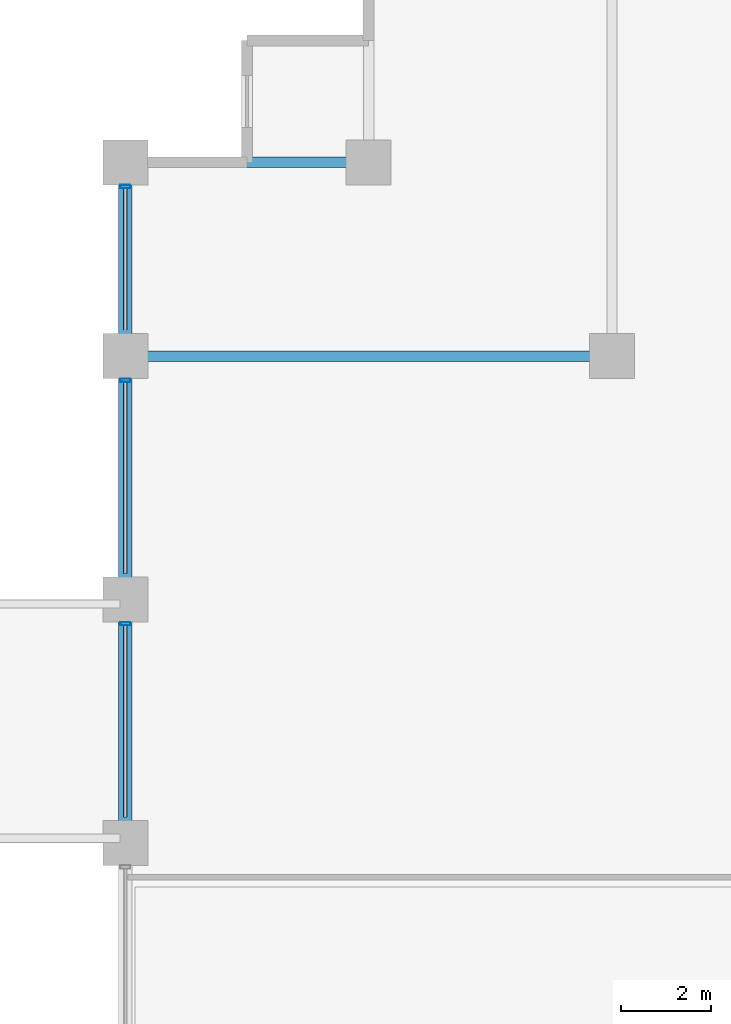
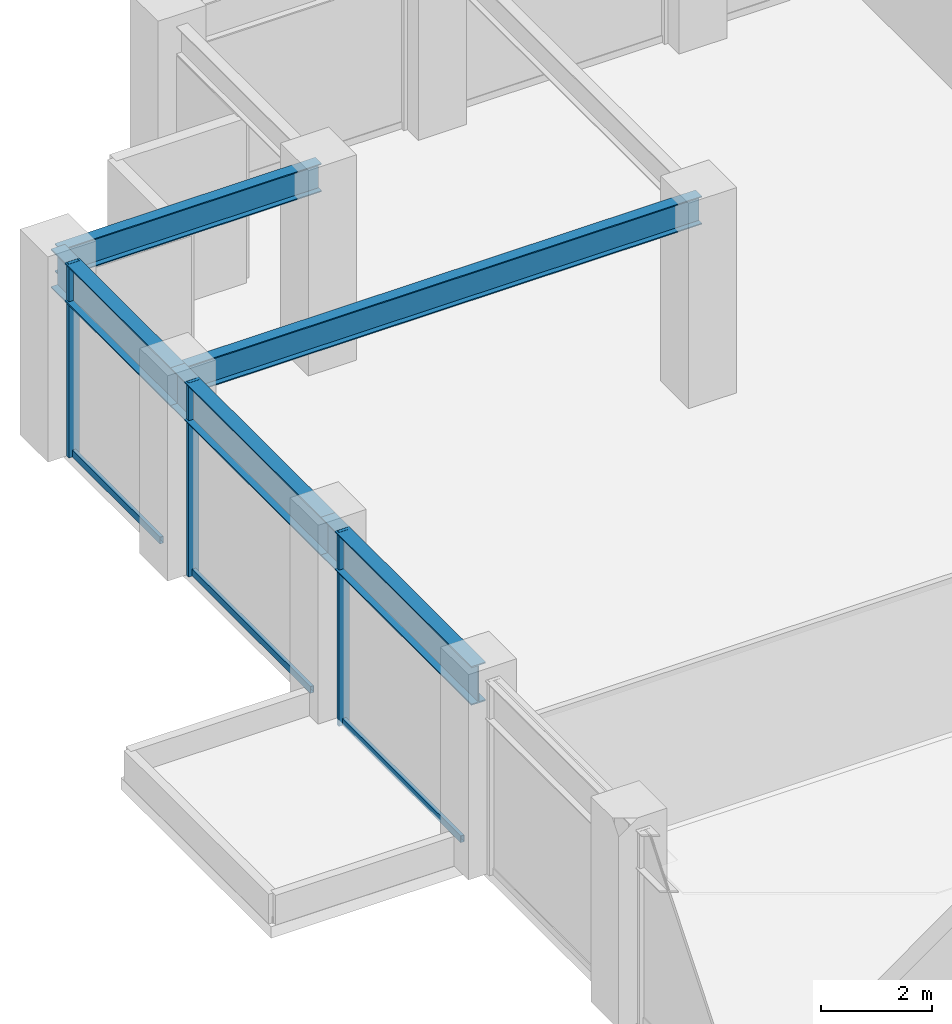
# One storey, part 9 of 25: 6 members, 5 beams, 1 element without a shape of its own.
"""IFC4 building model written with IfcOpenShell, lengths in metres."""

import ifcopenshell
import ifcopenshell.guid

model = None  # the IFC model being written
_history = None  # IfcOwnerHistory: only IFC2X3 demands one
_inside = {}  # id of a spatial element -> (the spatial element, [elements in it])
_under = {}  # id of a project, library or spatial element -> (it, [spatial elements below it])
_declared = {}  # id of a project -> (the project, [libraries it declares])
_typed = {}  # id of a type object -> (the type object, [elements of that type])
_made_of = {}  # id of a material, layer set ... -> (it, [elements and type objects made of it])


def new_model(schema):
    """Start an empty IFC model of exactly this schema.

    Asked for "IFC4X3", IfcOpenShell would pick the latest addendum, in which some entities
    have other attributes; the version numbers below select the first issue.
    IFC2X3 requires an IfcOwnerHistory on every rooted entity: one is made here for all.
    """
    global model, _history
    if schema == "IFC4X3":
        model = ifcopenshell.file(schema_version=(4, 3, 0, 0))
    else:
        model = ifcopenshell.file(schema=schema)
    _inside.clear()
    _under.clear()
    _declared.clear()
    _typed.clear()
    _made_of.clear()
    _history = None
    if model.schema == "IFC2X3":
        org = make("IfcOrganization", Name="unknown")
        user = make(
            "IfcPersonAndOrganization",
            ThePerson=make("IfcPerson", FamilyName="unknown"),
            TheOrganization=org,
        )
        app = make(
            "IfcApplication",
            ApplicationDeveloper=org,
            Version="unknown",
            ApplicationFullName="unknown",
            ApplicationIdentifier="unknown",
        )
        _history = make(
            "IfcOwnerHistory",
            OwningUser=user,
            OwningApplication=app,
            ChangeAction="ADDED",
            CreationDate=0,
        )
    return model


def make(cls, **values):
    """One entity of the class cls with the attributes given. An attribute that is None is left unset."""
    return model.create_entity(
        cls, **{name: value for name, value in values.items() if value is not None}
    )


def rooted(cls, **values):
    """An entity with a GlobalId (a new one), such as an element, a storey or a relation."""
    return make(cls, GlobalId=ifcopenshell.guid.new(), OwnerHistory=_history, **values)


def si_unit(unit_type, name, prefix=None):
    """IfcSIUnit, for example si_unit("LENGTHUNIT", "METRE", prefix="MILLI")."""
    return make("IfcSIUnit", UnitType=unit_type, Prefix=prefix, Name=name)


def assignment(units):
    """IfcUnitAssignment: the units of a project."""
    return None if units is None else make("IfcUnitAssignment", Units=units)


def point(xyz):
    """IfcCartesianPoint."""
    return None if xyz is None else make("IfcCartesianPoint", Coordinates=xyz)


def direction(xyz):
    """IfcDirection."""
    return None if xyz is None else make("IfcDirection", DirectionRatios=xyz)


def frame(location, z_axis=None, x_axis=None):
    """IfcAxis2Placement3D, a coordinate frame: its origin and axes. An axis left out is left unset."""
    return make(
        "IfcAxis2Placement3D",
        Location=point(location),
        Axis=direction(z_axis),
        RefDirection=direction(x_axis),
    )


def frame_2d(location, x_axis=None):
    """IfcAxis2Placement2D, a coordinate frame in the plane: its origin and x axis."""
    return make(
        "IfcAxis2Placement2D", Location=point(location), RefDirection=direction(x_axis)
    )


def origin():
    """The frame at (0, 0, 0) with its axes left unset."""
    return frame((0.0, 0.0, 0.0))


def origin_2d():
    """The frame at (0, 0) in the plane with its x axis left unset."""
    return frame_2d((0.0, 0.0))


def place(relative_to, where):
    """IfcLocalPlacement: puts the frame where relative to a parent placement (None: the world)."""
    return make(
        "IfcLocalPlacement", PlacementRelTo=relative_to, RelativePlacement=where
    )


def context(
    kind, dimensions, precision=None, world=None, true_north=None, identifier=None
):
    """IfcGeometricRepresentationContext, for example the 3D "Model" context."""
    return make(
        "IfcGeometricRepresentationContext",
        ContextIdentifier=identifier,
        ContextType=kind,
        CoordinateSpaceDimension=dimensions,
        Precision=precision,
        WorldCoordinateSystem=world,
        TrueNorth=true_north,
    )


def subcontext(parent, identifier, kind, view, scale=None):
    """IfcGeometricRepresentationSubContext, for example "Body" below "Model"."""
    return make(
        "IfcGeometricRepresentationSubContext",
        ContextIdentifier=identifier,
        ContextType=kind,
        ParentContext=parent,
        TargetScale=scale,
        TargetView=view,
    )


def project(units=None, contexts=None):
    """IfcProject with its units and contexts."""
    return rooted(
        "IfcProject",
        Name="project",
        RepresentationContexts=contexts,
        UnitsInContext=assignment(units),
    )


def spatial(cls, under=None, at=None, **own):
    """A site, building, storey or space (cls), placed at a placement, below another one or the project."""
    s = rooted(cls, ObjectPlacement=at, **own)
    if under is not None:
        _under.setdefault(under.id(), (under, []))[1].append(s)
    return s


def profile(cls, at=None, kind="AREA", **sizes):
    """A parametric profile (cls). Its sizes go by their IFC names, for example OverallWidth=200.0."""
    return make(cls, ProfileType=kind, Position=at, **sizes)


def hollow_rectangle(**sizes):
    """IfcRectangleHollowProfileDef."""
    return profile("IfcRectangleHollowProfileDef", **sizes)


def i_section(**sizes):
    """IfcIShapeProfileDef."""
    return profile("IfcIShapeProfileDef", **sizes)


def extrude(swept, where, along, depth):
    """IfcExtrudedAreaSolid: the profile swept, set in the frame where, extruded along a direction by depth."""
    return make(
        "IfcExtrudedAreaSolid",
        SweptArea=swept,
        Position=where,
        ExtrudedDirection=direction(along),
        Depth=depth,
    )


def shape(context_of_items, identifier, shape_type, items):
    """IfcShapeRepresentation: the items that make up one representation, for example the "Body"."""
    return make(
        "IfcShapeRepresentation",
        ContextOfItems=context_of_items,
        RepresentationIdentifier=identifier,
        RepresentationType=shape_type,
        Items=items,
    )


def material(Name=None, Category=None):
    """IfcMaterial."""
    return make("IfcMaterial", Name=Name, Category=Category)


def layer(
    of_material, thickness, ventilated=None, Name=None, Category=None, Priority=None
):
    """IfcMaterialLayer: one layer of a wall or slab, of a material (None: an air gap)."""
    return make(
        "IfcMaterialLayer",
        Material=of_material,
        LayerThickness=thickness,
        IsVentilated=ventilated,
        Name=Name,
        Category=Category,
        Priority=Priority,
    )


def layer_set(layers, Name=None):
    """IfcMaterialLayerSet."""
    return make("IfcMaterialLayerSet", MaterialLayers=layers, LayerSetName=Name)


def material_profile(
    of_material, cross_section, Name=None, Category=None, Priority=None
):
    """IfcMaterialProfile: a cross section and its material."""
    return make(
        "IfcMaterialProfile",
        Name=Name,
        Material=of_material,
        Profile=cross_section,
        Priority=Priority,
        Category=Category,
    )


def profile_set(profiles, Name=None, composite=None):
    """IfcMaterialProfileSet."""
    return make(
        "IfcMaterialProfileSet",
        Name=Name,
        MaterialProfiles=profiles,
        CompositeProfile=composite,
    )


def made_of(thing, what):
    """Note that an element or type object is made of a material, layer set ...; save() writes the relation."""
    if what is not None:
        _made_of.setdefault(what.id(), (what, []))[1].append(thing)
    return thing


def type_object(cls, material=None, **own):
    """A type object (cls), such as IfcWallType, which elements share."""
    return made_of(rooted(cls, **own), material)


def element(
    cls,
    number,
    at=None,
    inside=None,
    cuts=None,
    type_object=None,
    material=None,
    context=None,
    identifier="Body",
    shape_type=None,
    held_by="IfcProductDefinitionShape",
    body=None,
    shapes=None,
    **own,
):
    """One element of the class cls, such as IfcWall. Its Tag is "e" and its number.

    at: its placement. inside: the storey or other place that contains it. cuts: it is an
    opening in that element (IfcRelVoidsElement). A single representation is given by context,
    identifier, shape_type and body (its items); several are given by shapes. held_by: the class
    of the entity that holds the representations. save() writes the other relations.
    """
    e = rooted(cls, Tag="e%d" % number, ObjectPlacement=at, **own)
    if body is not None:
        shapes = [shape(context, identifier, shape_type, body)]
    if shapes is not None:
        e.Representation = make(held_by, Representations=shapes)
    if inside is not None:
        _inside.setdefault(inside.id(), (inside, []))[1].append(e)
    if cuts is not None:
        rooted(
            "IfcRelVoidsElement", RelatingBuildingElement=cuts, RelatedOpeningElement=e
        )
    if type_object is not None:
        _typed.setdefault(type_object.id(), (type_object, []))[1].append(e)
    return made_of(e, material)


def aggregate(whole, parts):
    """IfcRelAggregates: a whole, such as a stair, and the parts it consists of."""
    return rooted("IfcRelAggregates", RelatingObject=whole, RelatedObjects=parts)


def save(model, path):
    """Write the relations noted so far, then the file.

    IfcRelAggregates (storeys below a building ...), IfcRelContainedInSpatialStructure (elements
    in a storey), IfcRelDefinesByType, IfcRelAssociatesMaterial and IfcRelDeclares: one each for
    every whole, place, type object, material and project.
    """
    for whole, parts in _under.values():
        aggregate(whole, parts)
    for where, things in _inside.values():
        rooted(
            "IfcRelContainedInSpatialStructure",
            RelatedElements=things,
            RelatingStructure=where,
        )
    for kind, things in _typed.values():
        rooted("IfcRelDefinesByType", RelatedObjects=things, RelatingType=kind)
    for what, things in _made_of.values():
        rooted("IfcRelAssociatesMaterial", RelatedObjects=things, RelatingMaterial=what)
    for by, libraries in _declared.values():
        rooted("IfcRelDeclares", RelatingContext=by, RelatedDefinitions=libraries)
    model.write(path)


model = new_model("IFC4")

# Units and contexts
model_context = context("Model", 3, precision=1e-05, world=origin(), true_north=direction((0.0, 1.0)))
body_context = subcontext(model_context, "Body", "Model", "MODEL_VIEW")
ifc_project = project(units=[si_unit("LENGTHUNIT", "METRE"), si_unit("AREAUNIT", "SQUARE_METRE"), si_unit("VOLUMEUNIT", "CUBIC_METRE"), si_unit("PLANEANGLEUNIT", "RADIAN"), si_unit("MASSUNIT", "GRAM", prefix="KILO")], contexts=[model_context])

# Site, building, storey
site_placement = place(None, origin())
site = spatial("IfcSite", under=ifc_project, at=site_placement, CompositionType="ELEMENT")
building_placement = place(site_placement, origin())
building = spatial("IfcBuilding", under=site, at=building_placement, Name="Surkhivell Harbour Commons", CompositionType="ELEMENT")
storey_placement = place(building_placement, frame((0.0, 0.0, 162.0)))
storey = spatial("IfcBuildingStorey", under=building, at=storey_placement, Name="L42", CompositionType="ELEMENT", Elevation=162.0)

# Beams
ifc_material_1 = material(Name="Steel S355", Category="steel")
ifc_material_profile_1 = material_profile(ifc_material_1, i_section(OverallWidth=0.22998046875, OverallDepth=0.616943359375, WebThickness=0.01318359375, FlangeThickness=0.022216796875, at=origin_2d()), Name="UB610x229x140")
ifc_profile_set_1 = profile_set([ifc_material_profile_1], Name="Steel S355")
beam_type_1 = type_object("IfcBeamType", Name="BM-GRD-610B", PredefinedType="BEAM", material=ifc_profile_set_1)
beam_1_placement = place(storey_placement, frame((-32.39990234375, 16.199951171875, 3.94140625), z_axis=(1.0, 0.0, 0.0), x_axis=(0.0, 1.0, 0.0)))
element("IfcBeam", 1, at=beam_1_placement, inside=storey, type_object=beam_type_1, Name="L42 Floor Girder (-32.4,16.2)", PredefinedType="BEAM", context=body_context, shape_type="SweptSolid", body=[
    extrude(i_section(OverallWidth=0.22998046875, OverallDepth=0.616943359375, WebThickness=0.01318359375, FlangeThickness=0.022216796875, at=origin_2d()), origin(), (0.0, 0.0, 1.0), 10.7998046875),
])
beam_2_placement = place(storey_placement, frame((-32.39990234375, 20.5, 3.94140625), z_axis=(1.0, 0.0, 0.0), x_axis=(0.0, 1.0, 0.0)))
element("IfcBeam", 2, at=beam_2_placement, inside=storey, type_object=beam_type_1, Name="L42 Floor Girder (-32.4,20.5)", PredefinedType="BEAM", context=body_context, shape_type="SweptSolid", body=[
    extrude(i_section(OverallWidth=0.22998046875, OverallDepth=0.616943359375, WebThickness=0.01318359375, FlangeThickness=0.022216796875, at=origin_2d()), origin(), (0.0, 0.0, 1.0), 5.39990234375),
])
ifc_material_2 = material(Name="Steel S460", Category="steel")
ifc_material_profile_2 = material_profile(ifc_material_2, i_section(OverallWidth=0.2939453125, OverallDepth=0.85107421875, WebThickness=0.01611328125, FlangeThickness=0.02685546875, at=origin_2d()), Name="UB838x292x226")
ifc_profile_set_2 = profile_set([ifc_material_profile_2], Name="Steel S460")
beam_type_2 = type_object("IfcBeamType", Name="BM-SPN-838", PredefinedType="SPANDREL", material=ifc_profile_set_2)
beam_3_placement = place(storey_placement, frame((-32.39990234375, 5.39990234375, 3.824462890625), z_axis=(0.0, 1.0, 0.0), x_axis=(-1.0, 0.0, 0.0)))
element("IfcBeam", 3, at=beam_3_placement, inside=storey, type_object=beam_type_2, Name="L42 Tube Spandrel (-32.4,5.4)", PredefinedType="SPANDREL", context=body_context, shape_type="SweptSolid", body=[
    extrude(i_section(OverallWidth=0.2939453125, OverallDepth=0.85107421875, WebThickness=0.01611328125, FlangeThickness=0.02685546875, at=origin_2d()), origin(), (0.0, 0.0, 1.0), 5.400146484375),
])
beam_4_placement = place(storey_placement, frame((-32.39990234375, 10.800048828125, 3.824462890625), z_axis=(0.0, 1.0, 0.0), x_axis=(-1.0, 0.0, 0.0)))
element("IfcBeam", 4, at=beam_4_placement, inside=storey, type_object=beam_type_2, Name="L42 Tube Spandrel (-32.4,10.8)", PredefinedType="SPANDREL", context=body_context, shape_type="SweptSolid", body=[
    extrude(i_section(OverallWidth=0.2939453125, OverallDepth=0.85107421875, WebThickness=0.01611328125, FlangeThickness=0.02685546875, at=origin_2d()), origin(), (0.0, 0.0, 1.0), 5.39990234375),
])
beam_5_placement = place(storey_placement, frame((-32.39990234375, 16.199951171875, 3.824462890625), z_axis=(0.0, 1.0, 0.0), x_axis=(-1.0, 0.0, 0.0)))
element("IfcBeam", 5, at=beam_5_placement, inside=storey, type_object=beam_type_2, Name="L42 Tube Spandrel (-32.4,16.2)", PredefinedType="SPANDREL", context=body_context, shape_type="SweptSolid", body=[
    extrude(i_section(OverallWidth=0.2939453125, OverallDepth=0.85107421875, WebThickness=0.01611328125, FlangeThickness=0.02685546875, at=origin_2d()), origin(), (0.0, 0.0, 1.0), 4.300048828125),
])

# Curtain wall, members
ifc_material_3 = material(Name="Anodised pale-metal aluminium and insulated glazing", Category="aluminium")
ifc_layer = layer(ifc_material_3, 0.205078125)
ifc_layer_set = layer_set([ifc_layer], Name="Anodised pale-metal aluminium and insulated glazing")
curtain_wall_type = type_object("IfcCurtainWallType", Name="CW-SYS-Z2", PredefinedType="NOTDEFINED", material=ifc_layer_set)
curtain_wall_placement = place(storey_placement, origin())
curtain_wall = element("IfcCurtainWall", 6, at=curtain_wall_placement, inside=storey, type_object=curtain_wall_type, Name="L42 Curtain Wall CW-L42-E12S1", PredefinedType="NOTDEFINED")
ifc_material_4 = material(Name="Anodised pale-metal aluminium alloy 6063-T6", Category="aluminium")
ifc_material_profile_3 = material_profile(ifc_material_4, hollow_rectangle(XDim=0.074951171875, YDim=0.219970703125, WallThickness=0.00390625, at=origin_2d()), Name="ALU-MULL-75x220")
ifc_profile_set_3 = profile_set([ifc_material_profile_3], Name="Anodised pale-metal aluminium alloy 6063-T6")
member_type_1 = type_object("IfcMemberType", Name="CWM-220", PredefinedType="MULLION", material=ifc_profile_set_3)
member_1_placement = place(storey_placement, frame((-32.39990234375, 19.96044921875, 0.0), z_axis=(0.0, 0.0, 1.0), x_axis=(0.0, -1.0, 0.0)))
member_1 = element("IfcMember", 7, at=member_1_placement, type_object=member_type_1, Name="CW-Z2 mullion 1", PredefinedType="MULLION", context=body_context, shape_type="SweptSolid", body=[
    extrude(hollow_rectangle(XDim=0.074951171875, YDim=0.219970703125, WallThickness=0.00390625, at=origin_2d()), origin(), (0.0, 0.0, 1.0), 4.25),
])
member_2_placement = place(storey_placement, frame((-32.39990234375, 15.660400390625, 0.0), z_axis=(0.0, 0.0, 1.0), x_axis=(0.0, -1.0, 0.0)))
member_2 = element("IfcMember", 8, at=member_2_placement, type_object=member_type_1, Name="CW-Z2 mullion 2", PredefinedType="MULLION", context=body_context, shape_type="SweptSolid", body=[
    extrude(hollow_rectangle(XDim=0.074951171875, YDim=0.219970703125, WallThickness=0.00390625, at=origin_2d()), origin(), (0.0, 0.0, 1.0), 4.25),
])
member_3_placement = place(storey_placement, frame((-32.39990234375, 10.260498046875, 0.0), z_axis=(0.0, 0.0, 1.0), x_axis=(0.0, -1.0, 0.0)))
member_3 = element("IfcMember", 9, at=member_3_placement, type_object=member_type_1, Name="CW-Z2 mullion 3", PredefinedType="MULLION", context=body_context, shape_type="SweptSolid", body=[
    extrude(hollow_rectangle(XDim=0.074951171875, YDim=0.219970703125, WallThickness=0.00390625, at=origin_2d()), origin(), (0.0, 0.0, 1.0), 4.25),
])
ifc_material_profile_4 = material_profile(ifc_material_4, hollow_rectangle(XDim=0.074951171875, YDim=0.14990234375, WallThickness=0.00341796875, at=origin_2d()), Name="ALU-TRAN-75x150")
ifc_profile_set_4 = profile_set([ifc_material_profile_4], Name="Anodised pale-metal aluminium alloy 6063-T6")
member_type_2 = type_object("IfcMemberType", Name="CWT-150", PredefinedType="USERDEFINED", material=ifc_profile_set_4)
member_4_placement = place(storey_placement, frame((-32.39990234375, 19.923095703125, 0.074951171875), z_axis=(0.0, -1.0, 0.0), x_axis=(1.0, 0.0, 0.0)))
member_4 = element("IfcMember", 10, at=member_4_placement, type_object=member_type_2, Name="CW-Z2 transom 1.1", ObjectType="TRANSOM", PredefinedType="USERDEFINED", context=body_context, shape_type="SweptSolid", body=[
    extrude(hollow_rectangle(XDim=0.074951171875, YDim=0.14990234375, WallThickness=0.00341796875, at=origin_2d()), origin(), (0.0, 0.0, 1.0), 3.14599609375),
])
member_5_placement = place(storey_placement, frame((-32.39990234375, 15.623046875, 0.074951171875), z_axis=(0.0, -1.0, 0.0), x_axis=(1.0, 0.0, 0.0)))
member_5 = element("IfcMember", 11, at=member_5_placement, type_object=member_type_2, Name="CW-Z2 transom 2.1", ObjectType="TRANSOM", PredefinedType="USERDEFINED", context=body_context, shape_type="SweptSolid", body=[
    extrude(hollow_rectangle(XDim=0.074951171875, YDim=0.14990234375, WallThickness=0.00341796875, at=origin_2d()), origin(), (0.0, 0.0, 1.0), 4.24609375),
])
member_6_placement = place(storey_placement, frame((-32.39990234375, 10.222900390625, 0.074951171875), z_axis=(0.0, -1.0, 0.0), x_axis=(1.0, 0.0, 0.0)))
member_6 = element("IfcMember", 12, at=member_6_placement, type_object=member_type_2, Name="CW-Z2 transom 3.1", ObjectType="TRANSOM", PredefinedType="USERDEFINED", context=body_context, shape_type="SweptSolid", body=[
    extrude(hollow_rectangle(XDim=0.074951171875, YDim=0.14990234375, WallThickness=0.00341796875, at=origin_2d()), origin(), (0.0, 0.0, 1.0), 4.245849609375),
])
aggregate(curtain_wall, [member_1, member_4, member_2, member_5, member_3, member_6])

save(model, "model.ifc")
